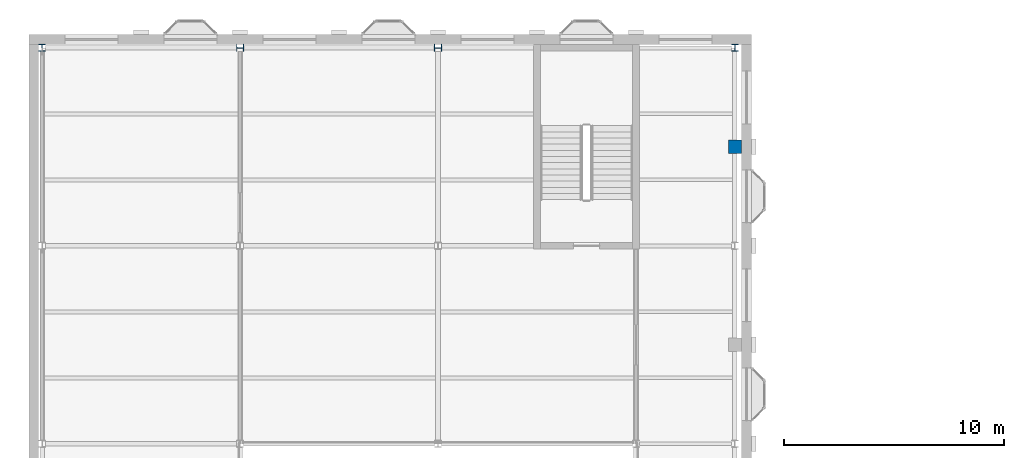
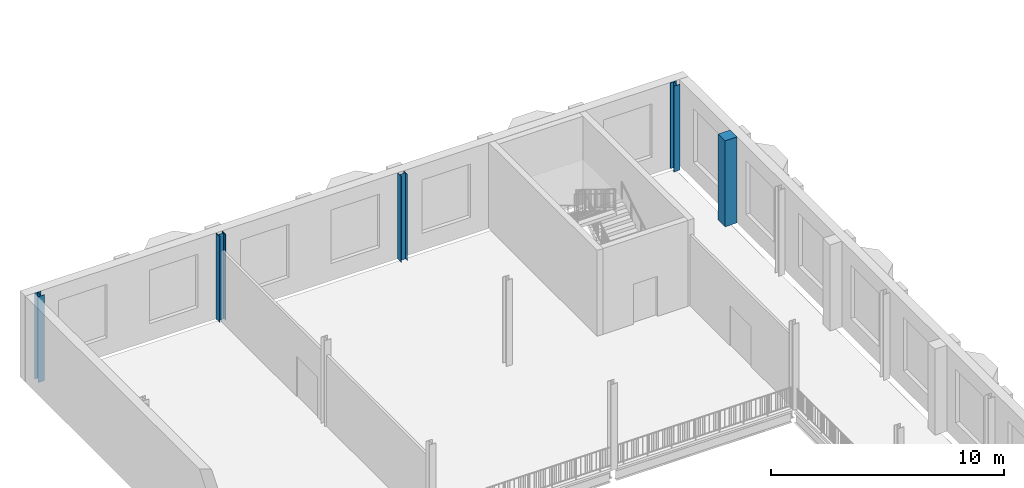
# One storey, part 9 of 74: 5 columns.
"""IFC4 building model written with IfcOpenShell, lengths in metres."""

from ifc_helpers import new_model, si_unit, direction, frame, origin, origin_2d, place, context, subcontext, project, spatial, rectangle, i_section, extrude, material, material_profile, profile_set, type_object, element, save


model = new_model("IFC4")

# Units and contexts
model_context = context("Model", 3, precision=1e-05, world=origin(), true_north=direction((0.0, 1.0)))
body_context = subcontext(model_context, "Body", "Model", "MODEL_VIEW")
ifc_project = project(units=[si_unit("LENGTHUNIT", "METRE"), si_unit("AREAUNIT", "SQUARE_METRE"), si_unit("VOLUMEUNIT", "CUBIC_METRE"), si_unit("PLANEANGLEUNIT", "RADIAN"), si_unit("MASSUNIT", "GRAM", prefix="KILO")], contexts=[model_context])

# Site, building, storey
site_placement = place(None, origin())
site = spatial("IfcSite", under=ifc_project, at=site_placement, CompositionType="ELEMENT")
building_placement = place(site_placement, origin())
building = spatial("IfcBuilding", under=site, at=building_placement, Name="Hortulan Conservatory and Botanical Research Centre", CompositionType="ELEMENT")
storey_placement = place(building_placement, frame((0.0, 0.0, 6.0)))
storey = spatial("IfcBuildingStorey", under=building, at=storey_placement, Name="L01", CompositionType="ELEMENT", Elevation=6.0)

# Columns
ifc_material_1 = material(Name="Sandstone masonry (25 MPa, AS 3700)", Category="masonry")
ifc_material_profile_1 = material_profile(ifc_material_1, rectangle(XDim=0.60009765625, YDim=0.60009765625, at=origin_2d()), Name="Square pier 600")
ifc_profile_set_1 = profile_set([ifc_material_profile_1], Name="Sandstone masonry (25 MPa, AS 3700)")
column_type_1 = type_object("IfcColumnType", Name="Sandstone Arcade Pier 600x600", PredefinedType="COLUMN", material=ifc_profile_set_1)
column_placement = place(storey_placement, frame((31.5, 67.5, 0.0), z_axis=(0.0, 0.0, 1.0), x_axis=(1.0, 0.0, 0.0)))
element("IfcColumn", 1, at=column_placement, inside=storey, type_object=column_type_1, Name="Sandstone arcade pier P-31.5-67.5 L01", PredefinedType="COLUMN", context=body_context, shape_type="SweptSolid", body=[
    extrude(rectangle(XDim=0.60009765625, YDim=0.60009765625, at=origin_2d()), origin(), (0.0, 0.0, 1.0), 4.5),
])
ifc_material_2 = material(Name="Steel Grade 300PLUS (AS/NZS 3679.1, 280 MPa minimum yield)", Category="steel")
ifc_material_profile_2 = material_profile(ifc_material_2, i_section(OverallWidth=0.30908203125, OverallDepth=0.321044921875, WebThickness=0.013916015625, FlangeThickness=0.021728515625, FilletRadius=0.0166015625, at=origin_2d()), Name="310UC137")
ifc_profile_set_2 = profile_set([ifc_material_profile_2], Name="Steel Grade 300PLUS (AS/NZS 3679.1, 280 MPa minimum yield)")
column_type_2 = type_object("IfcColumnType", Name="Visitor Centre Column 310UC137", PredefinedType="COLUMN", material=ifc_profile_set_2)
for number, where, z_axis, x_axis, name in (
    (2, (0.0, 72.0, 0.0), (0.0, 0.0, 1.0), (1.0, 0.0, 0.0), "310UC137 column"),
    (3, (9.0, 72.0, 0.0), (0.0, 0.0, 1.0), (0.0, 1.0, 0.0), "310UC137 column"),
    (4, (18.0, 72.0, 0.0), (0.0, 0.0, 1.0), (0.0, 1.0, 0.0), "310UC137 column"),
    (5, (31.5, 72.0, 0.0), (0.0, 0.0, 1.0), (1.0, 0.0, 0.0), "310UC137 column"),
):
    element("IfcColumn", number, at=place(storey_placement, frame(where, z_axis=z_axis, x_axis=x_axis)), inside=storey, type_object=column_type_2, Name=name, PredefinedType="COLUMN", context=body_context, shape_type="SweptSolid", body=[
        extrude(i_section(OverallWidth=0.30908203125, OverallDepth=0.321044921875, WebThickness=0.013916015625, FlangeThickness=0.021728515625, FilletRadius=0.0166015625, at=origin_2d()), origin(), (0.0, 0.0, 1.0), 4.5),
    ])

save(model, "model.ifc")
